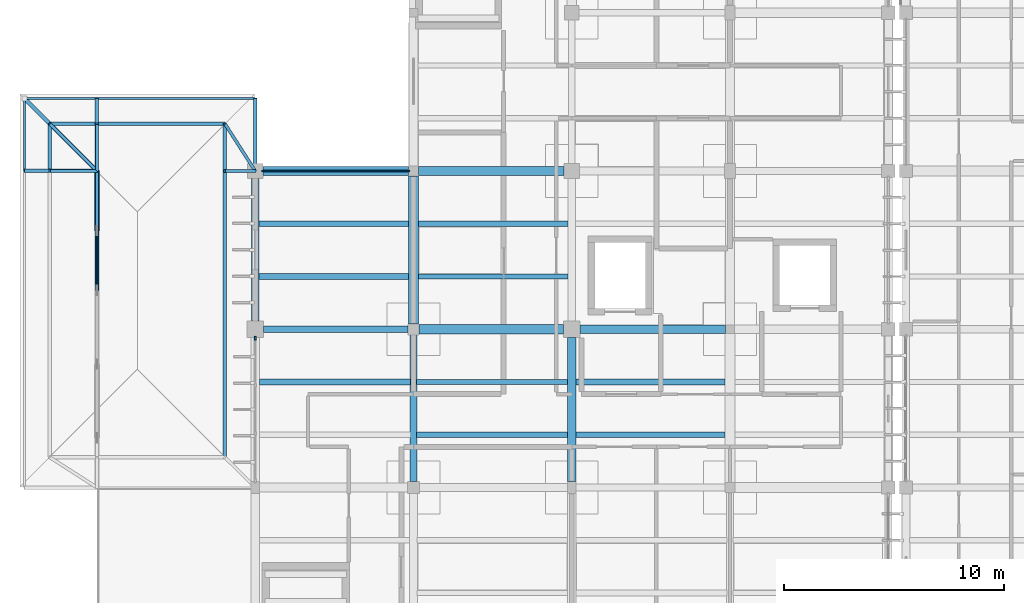
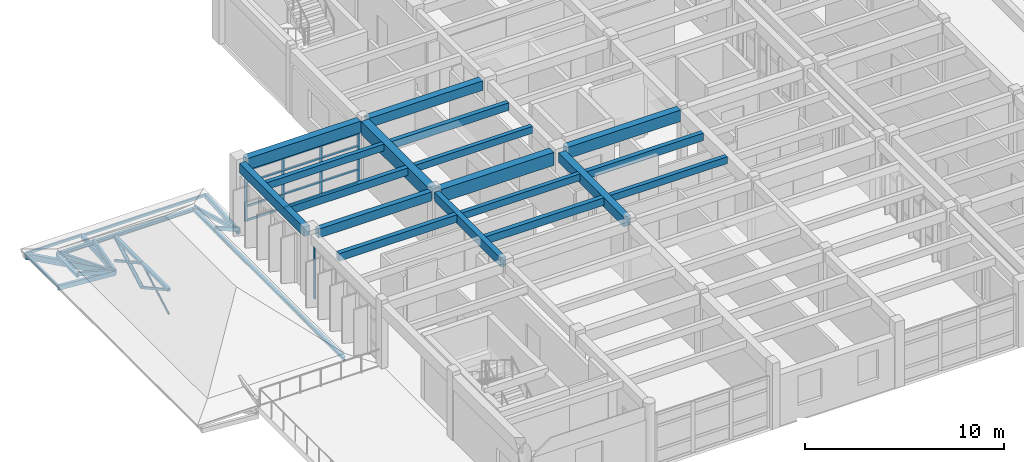
# One storey, part 16 of 100: 40 members, 18 beams, 2 elements without a shape of their own.
"""IFC4 building model written with IfcOpenShell, lengths in metres."""

from ifc_helpers import new_model, si_unit, direction, frame, origin, origin_2d, place, context, subcontext, project, spatial, rectangle, hollow_rectangle, hollow_circle, i_section, extrude, material, material_profile, profile_set, type_object, element, aggregate, save


model = new_model("IFC4")

# Units and contexts
model_context = context("Model", 3, precision=1e-05, world=origin(), true_north=direction((0.0, 1.0)))
body_context = subcontext(model_context, "Body", "Model", "MODEL_VIEW")
ifc_project = project(units=[si_unit("LENGTHUNIT", "METRE"), si_unit("AREAUNIT", "SQUARE_METRE"), si_unit("VOLUMEUNIT", "CUBIC_METRE"), si_unit("PLANEANGLEUNIT", "RADIAN"), si_unit("MASSUNIT", "GRAM", prefix="KILO")], contexts=[model_context])

# Site, building, storey
site_placement = place(None, origin())
site = spatial("IfcSite", under=ifc_project, at=site_placement, CompositionType="ELEMENT")
building_placement = place(site_placement, origin())
building = spatial("IfcBuilding", under=site, at=building_placement, Name="Steenspoor Specialist Clinic", CompositionType="ELEMENT")
storey_placement = place(building_placement, frame((0.0, 0.0, 9.0)))
storey = spatial("IfcBuildingStorey", under=building, at=storey_placement, Name="L02", CompositionType="ELEMENT", Elevation=9.0)

# Beams
ifc_material_1 = material(Name="Concrete C35/45", Category="concrete")
ifc_material_profile_1 = material_profile(ifc_material_1, rectangle(XDim=0.300048828125, YDim=0.550048828125, at=origin_2d()), Name="RC-BM-300X550")
ifc_profile_set_1 = profile_set([ifc_material_profile_1], Name="Concrete C35/45")
beam_type_1 = type_object("IfcBeamType", Name="BM-RC-300X550", PredefinedType="BEAM", material=ifc_profile_set_1)
beam_1_placement = place(storey_placement, frame((23.169921875, 86.75, 3.675048828125), z_axis=(1.0, 0.0, 0.0), x_axis=(0.0, 1.0, 0.0)))
element("IfcBeam", 1, at=beam_1_placement, inside=storey, type_object=beam_type_1, Name="BM-V5-L02-X1257", PredefinedType="BEAM", context=body_context, shape_type="SweptSolid", body=[
    extrude(rectangle(XDim=0.300048828125, YDim=0.550048828125, at=origin_2d()), origin(), (0.0, 0.0, 1.0), 6.5849609375),
])
beam_2_placement = place(storey_placement, frame((30.0, 79.820068359375, 3.675048828125), z_axis=(0.0, 1.0, 0.0), x_axis=(-1.0, 0.0, 0.0)))
element("IfcBeam", 2, at=beam_2_placement, inside=storey, type_object=beam_type_1, Name="BM-V5-L02-Y1276", PredefinedType="BEAM", context=body_context, shape_type="SweptSolid", body=[
    extrude(rectangle(XDim=0.300048828125, YDim=0.550048828125, at=origin_2d()), origin(), (0.0, 0.0, 1.0), 6.684814453125),
])
ifc_material_profile_2 = material_profile(ifc_material_1, rectangle(XDim=0.35009765625, YDim=0.580078125, at=origin_2d()), Name="RC-BM-350X580")
ifc_profile_set_2 = profile_set([ifc_material_profile_2], Name="Concrete C35/45")
beam_type_2 = type_object("IfcBeamType", Name="BM-RC-350X580", PredefinedType="BEAM", material=ifc_profile_set_2)
beam_3_placement = place(storey_placement, frame((22.800048828125, 87.1201171875, 3.659912109375), z_axis=(0.0, 1.0, 0.0), x_axis=(-1.0, 0.0, 0.0)))
element("IfcBeam", 3, at=beam_3_placement, inside=storey, type_object=beam_type_2, Name="BM-V5-L02-Y1273", PredefinedType="BEAM", context=body_context, shape_type="SweptSolid", body=[
    extrude(rectangle(XDim=0.35009765625, YDim=0.580078125, at=origin_2d()), origin(), (0.0, 0.0, 1.0), 6.48486328125),
])
ifc_material_profile_3 = material_profile(ifc_material_1, rectangle(XDim=0.39990234375, YDim=0.580078125, at=origin_2d()), Name="RC-BM-400X580")
ifc_profile_set_3 = profile_set([ifc_material_profile_3], Name="Concrete C35/45")
beam_type_3 = type_object("IfcBeamType", Name="BM-RC-400X580", PredefinedType="BEAM", material=ifc_profile_set_3)
beam_4_placement = place(storey_placement, frame((30.219970703125, 93.949951171875, 3.659912109375), z_axis=(1.0, 0.0, 0.0), x_axis=(0.0, 1.0, 0.0)))
element("IfcBeam", 4, at=beam_4_placement, inside=storey, type_object=beam_type_3, Name="BM-V5-L02-X1262", PredefinedType="BEAM", context=body_context, shape_type="SweptSolid", body=[
    extrude(rectangle(XDim=0.39990234375, YDim=0.580078125, at=origin_2d()), origin(), (0.0, 0.0, 1.0), 6.635009765625),
])
beam_5_placement = place(storey_placement, frame((37.199951171875, 79.820068359375, 3.659912109375), z_axis=(0.0, 1.0, 0.0), x_axis=(-1.0, 0.0, 0.0)))
element("IfcBeam", 5, at=beam_5_placement, inside=storey, type_object=beam_type_3, Name="BM-V5-L02-Y1282", PredefinedType="BEAM", context=body_context, shape_type="SweptSolid", body=[
    extrude(rectangle(XDim=0.39990234375, YDim=0.580078125, at=origin_2d()), origin(), (0.0, 0.0, 1.0), 6.559814453125),
])
ifc_material_profile_4 = material_profile(ifc_material_1, rectangle(XDim=0.39990234375, YDim=0.699951171875, at=origin_2d()), Name="RC-BM-400X700")
ifc_profile_set_4 = profile_set([ifc_material_profile_4], Name="Concrete C35/45")
beam_type_4 = type_object("IfcBeamType", Name="BM-RC-400X700", PredefinedType="BEAM", material=ifc_profile_set_4)
for number, where, z_axis, x_axis, name in (
    (6, (37.570068359375, 86.75, 3.60009765625), (1.0, 0.0, 0.0), (0.0, 1.0, 0.0), "BM-V5-L02-X1259"),
    (7, (23.14501953125, 93.949951171875, 3.60009765625), (1.0, 0.0, 0.0), (0.0, 1.0, 0.0), "BM-V5-L02-X1261"),
):
    element("IfcBeam", number, at=place(storey_placement, frame(where, z_axis=z_axis, x_axis=x_axis)), inside=storey, type_object=beam_type_4, Name=name, PredefinedType="BEAM", context=body_context, shape_type="SweptSolid", body=[
        extrude(rectangle(XDim=0.39990234375, YDim=0.699951171875, at=origin_2d()), origin(), (0.0, 0.0, 1.0), 6.635009765625),
    ])
ifc_material_profile_5 = material_profile(ifc_material_1, rectangle(XDim=0.449951171875, YDim=0.800048828125, at=origin_2d()), Name="RC-BM-450X800")
ifc_profile_set_5 = profile_set([ifc_material_profile_5], Name="Concrete C35/45")
beam_type_5 = type_object("IfcBeamType", Name="BM-RC-450X800", PredefinedType="BEAM", material=ifc_profile_set_5)
beam_6_placement = place(storey_placement, frame((30.2451171875, 86.75, 3.550048828125), z_axis=(1.0, 0.0, 0.0), x_axis=(0.0, 1.0, 0.0)))
element("IfcBeam", 8, at=beam_6_placement, inside=storey, type_object=beam_type_5, Name="BM-V5-L02-X1258", PredefinedType="BEAM", context=body_context, shape_type="SweptSolid", body=[
    extrude(rectangle(XDim=0.449951171875, YDim=0.800048828125, at=origin_2d()), origin(), (0.0, 0.0, 1.0), 6.5849609375),
])
beam_7_placement = place(storey_placement, frame((30.0, 86.9951171875, 3.550048828125), z_axis=(0.0, 1.0, 0.0), x_axis=(-1.0, 0.0, 0.0)))
element("IfcBeam", 9, at=beam_7_placement, inside=storey, type_object=beam_type_5, Name="BM-V5-L02-Y1277", PredefinedType="BEAM", context=body_context, shape_type="SweptSolid", body=[
    extrude(rectangle(XDim=0.449951171875, YDim=0.800048828125, at=origin_2d()), origin(), (0.0, 0.0, 1.0), 6.73486328125),
])

# Curtain wall, members
ifc_material_2 = material(Name="Thermally broken aluminium and low-emissivity glass", Category="aluminium")
curtain_wall_type_1 = type_object("IfcCurtainWallType", Name="CW-L00-240X415", PredefinedType="USERDEFINED", material=ifc_material_2)
curtain_wall_1_placement = place(storey_placement, origin())
curtain_wall_1 = element("IfcCurtainWall", 10, at=curtain_wall_1_placement, inside=storey, type_object=curtain_wall_type_1, Name="Unitised Curtain Wall CW-V5-L02-152", ObjectType="UNITISED GLAZING", PredefinedType="USERDEFINED")
ifc_material_3 = material(Name="Thermally broken aluminium 6063-T6", Category="aluminium")
ifc_material_profile_6 = material_profile(ifc_material_3, rectangle(XDim=0.070068359375, YDim=0.1650390625, at=origin_2d()), Name="CWM-70X165")
ifc_profile_set_6 = profile_set([ifc_material_profile_6], Name="Thermally broken aluminium 6063-T6")
member_type_1 = type_object("IfcMemberType", Name="CW-MULL-70X165", PredefinedType="MULLION", material=ifc_profile_set_6)
member_1_placement = place(storey_placement, frame((23.18505859375, 93.949951171875, 0.0), z_axis=(0.0, 0.0, 1.0), x_axis=(0.0, 1.0, 0.0)))
member_1 = element("IfcMember", 11, at=member_1_placement, type_object=member_type_1, Name="CW-08 mullion 1", PredefinedType="MULLION", context=body_context, shape_type="SweptSolid", body=[
    extrude(rectangle(XDim=0.070068359375, YDim=0.1650390625, at=origin_2d()), origin(), (0.0, 0.0, 1.0), 3.1298828125),
])
member_2_placement = place(storey_placement, frame((25.3583984375, 93.949951171875, 0.0), z_axis=(0.0, 0.0, 1.0), x_axis=(0.0, 1.0, 0.0)))
member_2 = element("IfcMember", 12, at=member_2_placement, type_object=member_type_1, Name="CW-08 mullion 2", PredefinedType="MULLION", context=body_context, shape_type="SweptSolid", body=[
    extrude(rectangle(XDim=0.070068359375, YDim=0.1650390625, at=origin_2d()), origin(), (0.0, 0.0, 1.0), 3.1298828125),
])
member_3_placement = place(storey_placement, frame((27.566650390625, 93.949951171875, 0.0), z_axis=(0.0, 0.0, 1.0), x_axis=(0.0, 1.0, 0.0)))
member_3 = element("IfcMember", 13, at=member_3_placement, type_object=member_type_1, Name="CW-08 mullion 3", PredefinedType="MULLION", context=body_context, shape_type="SweptSolid", body=[
    extrude(rectangle(XDim=0.070068359375, YDim=0.1650390625, at=origin_2d()), origin(), (0.0, 0.0, 1.0), 3.1298828125),
])
member_4_placement = place(storey_placement, frame((29.739990234375, 93.949951171875, 0.0), z_axis=(0.0, 0.0, 1.0), x_axis=(0.0, 1.0, 0.0)))
member_4 = element("IfcMember", 14, at=member_4_placement, type_object=member_type_1, Name="CW-08 mullion 4", PredefinedType="MULLION", context=body_context, shape_type="SweptSolid", body=[
    extrude(rectangle(XDim=0.070068359375, YDim=0.1650390625, at=origin_2d()), origin(), (0.0, 0.0, 1.0), 3.1298828125),
])

# Curtain wall, member
curtain_wall_type_2 = type_object("IfcCurtainWallType", Name="CW-L00-360X415", PredefinedType="USERDEFINED", material=ifc_material_2)
curtain_wall_2_placement = place(storey_placement, origin())
curtain_wall_2 = element("IfcCurtainWall", 15, at=curtain_wall_2_placement, inside=storey, type_object=curtain_wall_type_2, Name="Unitised Curtain Wall CW-V5-L02-151", ObjectType="UNITISED GLAZING", PredefinedType="USERDEFINED")
ifc_material_profile_7 = material_profile(ifc_material_3, rectangle(XDim=0.080078125, YDim=0.179931640625, at=origin_2d()), Name="CWM-80X180")
ifc_profile_set_7 = profile_set([ifc_material_profile_7], Name="Thermally broken aluminium 6063-T6")
member_type_2 = type_object("IfcMemberType", Name="CW-MULL-80X180", PredefinedType="MULLION", material=ifc_profile_set_7)
member_5_placement = place(storey_placement, frame((22.800048828125, 86.3349609375, 0.0), z_axis=(0.0, 0.0, 1.0), x_axis=(-1.0, 0.0, 0.0)))
member_5 = element("IfcMember", 16, at=member_5_placement, type_object=member_type_2, Name="CW-07 mullion 4", PredefinedType="MULLION", context=body_context, shape_type="SweptSolid", body=[
    extrude(rectangle(XDim=0.080078125, YDim=0.179931640625, at=origin_2d()), origin(), (0.0, 0.0, 1.0), 3.1298828125),
])
aggregate(curtain_wall_2, [member_5])

# Member
ifc_material_profile_8 = material_profile(ifc_material_3, rectangle(XDim=0.06494140625, YDim=0.1298828125, at=origin_2d()), Name="CWT-65X130")
ifc_profile_set_8 = profile_set([ifc_material_profile_8], Name="Thermally broken aluminium 6063-T6")
member_type_3 = type_object("IfcMemberType", Name="CW-TRAN-65X130", PredefinedType="USERDEFINED", material=ifc_profile_set_8)
member_6_placement = place(storey_placement, frame((23.219970703125, 93.949951171875, 0.032470703125), z_axis=(1.0, 0.0, 0.0), x_axis=(0.0, 1.0, 0.0)))
member_6 = element("IfcMember", 17, at=member_6_placement, type_object=member_type_3, Name="CW-08 transom 1.1", ObjectType="TRANSOM", PredefinedType="USERDEFINED", context=body_context, shape_type="SweptSolid", body=[
    extrude(rectangle(XDim=0.06494140625, YDim=0.1298828125, at=origin_2d()), origin(), (0.0, 0.0, 1.0), 2.103271484375),
])

member_7_placement = place(storey_placement, frame((23.219970703125, 93.949951171875, 0.89990234375), z_axis=(1.0, 0.0, 0.0), x_axis=(0.0, 1.0, 0.0)))
member_7 = element("IfcMember", 18, at=member_7_placement, type_object=member_type_3, Name="CW-08 transom 1.2", ObjectType="TRANSOM", PredefinedType="USERDEFINED", context=body_context, shape_type="SweptSolid", body=[
    extrude(rectangle(XDim=0.06494140625, YDim=0.1298828125, at=origin_2d()), origin(), (0.0, 0.0, 1.0), 2.103271484375),
])

member_8_placement = place(storey_placement, frame((23.219970703125, 93.949951171875, 2.35009765625), z_axis=(1.0, 0.0, 0.0), x_axis=(0.0, 1.0, 0.0)))
member_8 = element("IfcMember", 19, at=member_8_placement, type_object=member_type_3, Name="CW-08 transom 1.3", ObjectType="TRANSOM", PredefinedType="USERDEFINED", context=body_context, shape_type="SweptSolid", body=[
    extrude(rectangle(XDim=0.06494140625, YDim=0.1298828125, at=origin_2d()), origin(), (0.0, 0.0, 1.0), 2.103271484375),
])

member_9_placement = place(storey_placement, frame((23.219970703125, 93.949951171875, 3.097412109375), z_axis=(1.0, 0.0, 0.0), x_axis=(0.0, 1.0, 0.0)))
member_9 = element("IfcMember", 20, at=member_9_placement, type_object=member_type_3, Name="CW-08 transom 1.4", ObjectType="TRANSOM", PredefinedType="USERDEFINED", context=body_context, shape_type="SweptSolid", body=[
    extrude(rectangle(XDim=0.06494140625, YDim=0.1298828125, at=origin_2d()), origin(), (0.0, 0.0, 1.0), 2.103271484375),
])

member_10_placement = place(storey_placement, frame((25.393310546875, 93.949951171875, 0.032470703125), z_axis=(1.0, 0.0, 0.0), x_axis=(0.0, 1.0, 0.0)))
member_10 = element("IfcMember", 21, at=member_10_placement, type_object=member_type_3, Name="CW-08 transom 2.1", ObjectType="TRANSOM", PredefinedType="USERDEFINED", context=body_context, shape_type="SweptSolid", body=[
    extrude(rectangle(XDim=0.06494140625, YDim=0.1298828125, at=origin_2d()), origin(), (0.0, 0.0, 1.0), 2.138427734375),
])

member_11_placement = place(storey_placement, frame((25.393310546875, 93.949951171875, 0.89990234375), z_axis=(1.0, 0.0, 0.0), x_axis=(0.0, 1.0, 0.0)))
member_11 = element("IfcMember", 22, at=member_11_placement, type_object=member_type_3, Name="CW-08 transom 2.2", ObjectType="TRANSOM", PredefinedType="USERDEFINED", context=body_context, shape_type="SweptSolid", body=[
    extrude(rectangle(XDim=0.06494140625, YDim=0.1298828125, at=origin_2d()), origin(), (0.0, 0.0, 1.0), 2.138427734375),
])

member_12_placement = place(storey_placement, frame((25.393310546875, 93.949951171875, 2.35009765625), z_axis=(1.0, 0.0, 0.0), x_axis=(0.0, 1.0, 0.0)))
member_12 = element("IfcMember", 23, at=member_12_placement, type_object=member_type_3, Name="CW-08 transom 2.3", ObjectType="TRANSOM", PredefinedType="USERDEFINED", context=body_context, shape_type="SweptSolid", body=[
    extrude(rectangle(XDim=0.06494140625, YDim=0.1298828125, at=origin_2d()), origin(), (0.0, 0.0, 1.0), 2.138427734375),
])

member_13_placement = place(storey_placement, frame((25.393310546875, 93.949951171875, 3.097412109375), z_axis=(1.0, 0.0, 0.0), x_axis=(0.0, 1.0, 0.0)))
member_13 = element("IfcMember", 24, at=member_13_placement, type_object=member_type_3, Name="CW-08 transom 2.4", ObjectType="TRANSOM", PredefinedType="USERDEFINED", context=body_context, shape_type="SweptSolid", body=[
    extrude(rectangle(XDim=0.06494140625, YDim=0.1298828125, at=origin_2d()), origin(), (0.0, 0.0, 1.0), 2.138427734375),
])

member_14_placement = place(storey_placement, frame((27.6015625, 93.949951171875, 0.032470703125), z_axis=(1.0, 0.0, 0.0), x_axis=(0.0, 1.0, 0.0)))
member_14 = element("IfcMember", 25, at=member_14_placement, type_object=member_type_3, Name="CW-08 transom 3.1", ObjectType="TRANSOM", PredefinedType="USERDEFINED", context=body_context, shape_type="SweptSolid", body=[
    extrude(rectangle(XDim=0.06494140625, YDim=0.1298828125, at=origin_2d()), origin(), (0.0, 0.0, 1.0), 2.103515625),
])

member_15_placement = place(storey_placement, frame((27.6015625, 93.949951171875, 0.89990234375), z_axis=(1.0, 0.0, 0.0), x_axis=(0.0, 1.0, 0.0)))
member_15 = element("IfcMember", 26, at=member_15_placement, type_object=member_type_3, Name="CW-08 transom 3.2", ObjectType="TRANSOM", PredefinedType="USERDEFINED", context=body_context, shape_type="SweptSolid", body=[
    extrude(rectangle(XDim=0.06494140625, YDim=0.1298828125, at=origin_2d()), origin(), (0.0, 0.0, 1.0), 2.103515625),
])

member_16_placement = place(storey_placement, frame((27.6015625, 93.949951171875, 2.35009765625), z_axis=(1.0, 0.0, 0.0), x_axis=(0.0, 1.0, 0.0)))
member_16 = element("IfcMember", 27, at=member_16_placement, type_object=member_type_3, Name="CW-08 transom 3.3", ObjectType="TRANSOM", PredefinedType="USERDEFINED", context=body_context, shape_type="SweptSolid", body=[
    extrude(rectangle(XDim=0.06494140625, YDim=0.1298828125, at=origin_2d()), origin(), (0.0, 0.0, 1.0), 2.103515625),
])

member_17_placement = place(storey_placement, frame((27.6015625, 93.949951171875, 3.097412109375), z_axis=(1.0, 0.0, 0.0), x_axis=(0.0, 1.0, 0.0)))
member_17 = element("IfcMember", 28, at=member_17_placement, type_object=member_type_3, Name="CW-08 transom 3.4", ObjectType="TRANSOM", PredefinedType="USERDEFINED", context=body_context, shape_type="SweptSolid", body=[
    extrude(rectangle(XDim=0.06494140625, YDim=0.1298828125, at=origin_2d()), origin(), (0.0, 0.0, 1.0), 2.103515625),
])

aggregate(curtain_wall_1, [member_1, member_2, member_3, member_4, member_6, member_7, member_8, member_9, member_10, member_11, member_12, member_13, member_14, member_15, member_16, member_17])

# Beams
ifc_material_profile_9 = material_profile(ifc_material_1, rectangle(XDim=0.239990234375, YDim=0.419921875, at=origin_2d()), Name="RC-JT-240X420")
ifc_profile_set_9 = profile_set([ifc_material_profile_9], Name="Concrete C35/45")
beam_type_6 = type_object("IfcBeamType", Name="JT-RC-240X420", PredefinedType="JOIST", material=ifc_profile_set_9)
beam_8_placement = place(storey_placement, frame((22.969970703125, 91.550048828125, 3.739990234375), z_axis=(1.0, 0.0, 0.0), x_axis=(0.0, 1.0, 0.0)))
element("IfcBeam", 29, at=beam_8_placement, inside=storey, type_object=beam_type_6, Name="JT-V5-L02-1303", PredefinedType="JOIST", context=body_context, shape_type="SweptSolid", body=[
    extrude(rectangle(XDim=0.239990234375, YDim=0.419921875, at=origin_2d()), origin(), (0.0, 0.0, 1.0), 6.81005859375),
])
beam_9_placement = place(storey_placement, frame((30.14501953125, 84.35009765625, 3.739990234375), z_axis=(1.0, 0.0, 0.0), x_axis=(0.0, 1.0, 0.0)))
element("IfcBeam", 30, at=beam_9_placement, inside=storey, type_object=beam_type_6, Name="JT-V5-L02-1309", PredefinedType="JOIST", context=body_context, shape_type="SweptSolid", body=[
    extrude(rectangle(XDim=0.239990234375, YDim=0.419921875, at=origin_2d()), origin(), (0.0, 0.0, 1.0), 6.85986328125),
])
beam_10_placement = place(storey_placement, frame((30.219970703125, 89.14990234375, 3.739990234375), z_axis=(1.0, 0.0, 0.0), x_axis=(0.0, 1.0, 0.0)))
element("IfcBeam", 31, at=beam_10_placement, inside=storey, type_object=beam_type_6, Name="JT-V5-L02-1310", PredefinedType="JOIST", context=body_context, shape_type="SweptSolid", body=[
    extrude(rectangle(XDim=0.239990234375, YDim=0.419921875, at=origin_2d()), origin(), (0.0, 0.0, 1.0), 6.81005859375),
])
beam_11_placement = place(storey_placement, frame((37.39501953125, 81.949951171875, 3.739990234375), z_axis=(1.0, 0.0, 0.0), x_axis=(0.0, 1.0, 0.0)))
element("IfcBeam", 32, at=beam_11_placement, inside=storey, type_object=beam_type_6, Name="JT-V5-L02-1318", PredefinedType="JOIST", context=body_context, shape_type="SweptSolid", body=[
    extrude(rectangle(XDim=0.239990234375, YDim=0.419921875, at=origin_2d()), origin(), (0.0, 0.0, 1.0), 6.784912109375),
])
ifc_material_profile_10 = material_profile(ifc_material_1, rectangle(XDim=0.260009765625, YDim=0.4599609375, at=origin_2d()), Name="RC-JT-260X460")
ifc_profile_set_10 = profile_set([ifc_material_profile_10], Name="Concrete C35/45")
beam_type_7 = type_object("IfcBeamType", Name="JT-RC-260X460", PredefinedType="JOIST", material=ifc_profile_set_10)
beam_12_placement = place(storey_placement, frame((22.9951171875, 84.35009765625, 3.719970703125), z_axis=(1.0, 0.0, 0.0), x_axis=(0.0, 1.0, 0.0)))
element("IfcBeam", 33, at=beam_12_placement, inside=storey, type_object=beam_type_7, Name="JT-V5-L02-1301", PredefinedType="JOIST", context=body_context, shape_type="SweptSolid", body=[
    extrude(rectangle(XDim=0.260009765625, YDim=0.4599609375, at=origin_2d()), origin(), (0.0, 0.0, 1.0), 6.85986328125),
])
beam_13_placement = place(storey_placement, frame((22.969970703125, 89.14990234375, 3.719970703125), z_axis=(1.0, 0.0, 0.0), x_axis=(0.0, 1.0, 0.0)))
element("IfcBeam", 34, at=beam_13_placement, inside=storey, type_object=beam_type_7, Name="JT-V5-L02-1302", PredefinedType="JOIST", context=body_context, shape_type="SweptSolid", body=[
    extrude(rectangle(XDim=0.260009765625, YDim=0.4599609375, at=origin_2d()), origin(), (0.0, 0.0, 1.0), 6.81005859375),
])
beam_14_placement = place(storey_placement, frame((30.14501953125, 81.949951171875, 3.719970703125), z_axis=(1.0, 0.0, 0.0), x_axis=(0.0, 1.0, 0.0)))
element("IfcBeam", 35, at=beam_14_placement, inside=storey, type_object=beam_type_7, Name="JT-V5-L02-1308", PredefinedType="JOIST", context=body_context, shape_type="SweptSolid", body=[
    extrude(rectangle(XDim=0.260009765625, YDim=0.4599609375, at=origin_2d()), origin(), (0.0, 0.0, 1.0), 6.85986328125),
])
beam_15_placement = place(storey_placement, frame((30.219970703125, 91.550048828125, 3.719970703125), z_axis=(1.0, 0.0, 0.0), x_axis=(0.0, 1.0, 0.0)))
element("IfcBeam", 36, at=beam_15_placement, inside=storey, type_object=beam_type_7, Name="JT-V5-L02-1311", PredefinedType="JOIST", context=body_context, shape_type="SweptSolid", body=[
    extrude(rectangle(XDim=0.260009765625, YDim=0.4599609375, at=origin_2d()), origin(), (0.0, 0.0, 1.0), 6.81005859375),
])
beam_16_placement = place(storey_placement, frame((37.39501953125, 84.35009765625, 3.719970703125), z_axis=(1.0, 0.0, 0.0), x_axis=(0.0, 1.0, 0.0)))
element("IfcBeam", 37, at=beam_16_placement, inside=storey, type_object=beam_type_7, Name="JT-V5-L02-1319", PredefinedType="JOIST", context=body_context, shape_type="SweptSolid", body=[
    extrude(rectangle(XDim=0.260009765625, YDim=0.4599609375, at=origin_2d()), origin(), (0.0, 0.0, 1.0), 6.784912109375),
])

# Members
ifc_material_4 = material(Name="Steel A500 Grade C", Category="steel")
ifc_material_profile_11 = material_profile(ifc_material_4, hollow_rectangle(XDim=0.126953125, YDim=0.126953125, WallThickness=0.0087890625, at=origin_2d()), Name="HSS127X127X9.5")
ifc_profile_set_11 = profile_set([ifc_material_profile_11], Name="Steel A500 Grade C")
member_type_4 = type_object("IfcMemberType", Name="MEM-BRACE-H127A", PredefinedType="BRACE", material=ifc_profile_set_11)
member_18_placement = place(storey_placement, frame((15.60009765625, 88.514892578125, 1.724609375), z_axis=(0.0, 0.876018101163, -0.48227822513), x_axis=(-1.0, 0.0, 0.0)))
element("IfcMember", 38, at=member_18_placement, inside=storey, type_object=member_type_4, Name="ROOF TRUSS Web Brace V5T1 1.3", PredefinedType="BRACE", context=body_context, shape_type="SweptSolid", body=[
    extrude(hollow_rectangle(XDim=0.126953125, YDim=0.126953125, WallThickness=0.0087890625, at=origin_2d()), origin(), (0.0, 0.0, 1.0), 3.10205078125),
])
ifc_material_profile_12 = material_profile(ifc_material_4, hollow_rectangle(XDim=0.126953125, YDim=0.126953125, WallThickness=0.005859375, at=origin_2d()), Name="HSS127X127X6.4")
ifc_profile_set_12 = profile_set([ifc_material_profile_12], Name="Steel A500 Grade C")
member_type_5 = type_object("IfcMemberType", Name="MEM-BRACE-H127B", PredefinedType="BRACE", material=ifc_profile_set_12)
member_19_placement = place(storey_placement, frame((15.60009765625, 91.232421875, 1.724609375), z_axis=(0.0, 0.876018101163, -0.48227822513), x_axis=(-1.0, 0.0, 0.0)))
element("IfcMember", 39, at=member_19_placement, inside=storey, type_object=member_type_5, Name="ROOF TRUSS Web Brace V5T1 1.4", PredefinedType="BRACE", context=body_context, shape_type="SweptSolid", body=[
    extrude(hollow_rectangle(XDim=0.126953125, YDim=0.126953125, WallThickness=0.005859375, at=origin_2d()), origin(), (0.0, 0.0, 1.0), 3.10205078125),
])
ifc_material_profile_13 = material_profile(ifc_material_4, hollow_rectangle(XDim=0.177734375, YDim=0.177734375, WallThickness=0.0087890625, at=origin_2d()), Name="HSS178X178X9.5")
ifc_profile_set_13 = profile_set([ifc_material_profile_13], Name="Steel A500 Grade C")
member_type_6 = type_object("IfcMemberType", Name="MEM-CHORD-H178", PredefinedType="CHORD", material=ifc_profile_set_13)
for number, where, z_axis, x_axis, name in (
    (40, (15.60009765625, 88.514892578125, 1.724609375), (0.0, 1.0, 0.0), (-1.0, 0.0, 0.0), "ROOF TRUSS Top Chord V5T1 1.3"),
    (41, (15.60009765625, 91.232421875, 1.724609375), (0.0, 1.0, 0.0), (-1.0, 0.0, 0.0), "ROOF TRUSS Top Chord V5T1 1.4"),
):
    element("IfcMember", number, at=place(storey_placement, frame(where, z_axis=z_axis, x_axis=x_axis)), inside=storey, type_object=member_type_6, Name=name, PredefinedType="CHORD", context=body_context, shape_type="SweptSolid", body=[
        extrude(hollow_rectangle(XDim=0.177734375, YDim=0.177734375, WallThickness=0.0087890625, at=origin_2d()), origin(), (0.0, 0.0, 1.0), 2.717529296875),
    ])
ifc_material_profile_14 = material_profile(ifc_material_4, hollow_rectangle(XDim=0.1015625, YDim=0.15234375, WallThickness=0.005859375, at=origin_2d()), Name="HSS152X102X6.4")
ifc_profile_set_14 = profile_set([ifc_material_profile_14], Name="Steel A500 Grade C")
member_type_7 = type_object("IfcMemberType", Name="MEM-PURLIN-H152", PredefinedType="PURLIN", material=ifc_profile_set_14)
member_20_placement = place(storey_placement, frame((12.300048828125, 97.25, -0.19482421875), z_axis=(1.0, 0.0, 0.0), x_axis=(0.0, 1.0, 0.0)))
element("IfcMember", 42, at=member_20_placement, inside=storey, type_object=member_type_7, Name="ROOF TRUSS Eave Fascia 413", PredefinedType="PURLIN", context=body_context, shape_type="SweptSolid", body=[
    extrude(hollow_rectangle(XDim=0.1015625, YDim=0.15234375, WallThickness=0.005859375, at=origin_2d()), origin(), (0.0, 0.0, 1.0), 3.300048828125),
])
member_21_placement = place(storey_placement, frame((15.60009765625, 97.25, -0.243408203125), z_axis=(1.0, 0.0, 0.0), x_axis=(0.0, 1.0, 0.0)))
element("IfcMember", 43, at=member_21_placement, inside=storey, type_object=member_type_7, Name="ROOF TRUSS Eave Fascia 414", PredefinedType="PURLIN", context=body_context, shape_type="SweptSolid", body=[
    extrude(hollow_rectangle(XDim=0.1015625, YDim=0.15234375, WallThickness=0.005859375, at=origin_2d()), origin(), (0.0, 0.0, 1.0), 7.199951171875),
])
member_22_placement = place(storey_placement, frame((12.300048828125, 93.949951171875, -0.19482421875), z_axis=(0.0, 1.0, 0.0), x_axis=(-1.0, 0.0, 0.0)))
element("IfcMember", 44, at=member_22_placement, inside=storey, type_object=member_type_7, Name="ROOF TRUSS Eave Fascia 416", PredefinedType="PURLIN", context=body_context, shape_type="SweptSolid", body=[
    extrude(hollow_rectangle(XDim=0.1015625, YDim=0.15234375, WallThickness=0.005859375, at=origin_2d()), origin(), (0.0, 0.0, 1.0), 3.300048828125),
])
ifc_material_5 = material(Name="Steel A992 Grade 50", Category="steel")
ifc_material_profile_15 = material_profile(ifc_material_5, i_section(OverallWidth=0.1650390625, OverallDepth=0.200927734375, WebThickness=0.006103515625, FlangeThickness=0.01025390625, at=origin_2d()), Name="W200X36")
ifc_profile_set_15 = profile_set([ifc_material_profile_15], Name="Steel A992 Grade 50")
member_type_8 = type_object("IfcMemberType", Name="MEM-PURLIN-W200", PredefinedType="PURLIN", material=ifc_profile_set_15)
member_23_placement = place(storey_placement, frame((13.449951171875, 96.10009765625, 0.0439453125), z_axis=(1.0, 0.0, 0.0), x_axis=(0.0, 1.0, 0.0)))
element("IfcMember", 45, at=member_23_placement, inside=storey, type_object=member_type_8, Name="ROOF TRUSS Knuckle Purlin 418", PredefinedType="PURLIN", context=body_context, shape_type="SweptSolid", body=[
    extrude(i_section(OverallWidth=0.1650390625, OverallDepth=0.200927734375, WebThickness=0.006103515625, FlangeThickness=0.01025390625, at=origin_2d()), origin(), (0.0, 0.0, 1.0), 2.150146484375),
])
member_24_placement = place(storey_placement, frame((15.60009765625, 96.10009765625, 0.0439453125), z_axis=(1.0, 0.0, 0.0), x_axis=(0.0, 1.0, 0.0)))
element("IfcMember", 46, at=member_24_placement, inside=storey, type_object=member_type_8, Name="ROOF TRUSS Knuckle Purlin 420", PredefinedType="PURLIN", context=body_context, shape_type="SweptSolid", body=[
    extrude(i_section(OverallWidth=0.1650390625, OverallDepth=0.200927734375, WebThickness=0.006103515625, FlangeThickness=0.01025390625, at=origin_2d()), origin(), (0.0, 0.0, 1.0), 5.81982421875),
])
member_25_placement = place(storey_placement, frame((13.449951171875, 93.949951171875, 0.0439453125), z_axis=(0.0, 1.0, 0.0), x_axis=(-1.0, 0.0, 0.0)))
element("IfcMember", 47, at=member_25_placement, inside=storey, type_object=member_type_8, Name="ROOF TRUSS Knuckle Purlin 422", PredefinedType="PURLIN", context=body_context, shape_type="SweptSolid", body=[
    extrude(i_section(OverallWidth=0.1650390625, OverallDepth=0.200927734375, WebThickness=0.006103515625, FlangeThickness=0.01025390625, at=origin_2d()), origin(), (0.0, 0.0, 1.0), 2.150146484375),
])
member_26_placement = place(storey_placement, frame((21.419921875, 80.929931640625, 0.0439453125), z_axis=(0.0, 1.0, 0.0), x_axis=(-1.0, 0.0, 0.0)))
element("IfcMember", 48, at=member_26_placement, inside=storey, type_object=member_type_8, Name="ROOF TRUSS Knuckle Purlin 423", PredefinedType="PURLIN", context=body_context, shape_type="SweptSolid", body=[
    extrude(i_section(OverallWidth=0.1650390625, OverallDepth=0.200927734375, WebThickness=0.006103515625, FlangeThickness=0.01025390625, at=origin_2d()), origin(), (0.0, 0.0, 1.0), 13.02001953125),
])
member_27_placement = place(storey_placement, frame((21.419921875, 93.949951171875, 0.0439453125), z_axis=(0.0, 1.0, 0.0), x_axis=(-1.0, 0.0, 0.0)))
element("IfcMember", 49, at=member_27_placement, inside=storey, type_object=member_type_8, Name="ROOF TRUSS Knuckle Purlin 424", PredefinedType="PURLIN", context=body_context, shape_type="SweptSolid", body=[
    extrude(i_section(OverallWidth=0.1650390625, OverallDepth=0.200927734375, WebThickness=0.006103515625, FlangeThickness=0.01025390625, at=origin_2d()), origin(), (0.0, 0.0, 1.0), 2.150146484375),
])
ifc_material_6 = material(Name="Glulam GL28h", Category="wood")
ifc_material_profile_16 = material_profile(ifc_material_6, rectangle(XDim=0.139892578125, YDim=0.219970703125, at=origin_2d()), Name="GL28H-140X220")
ifc_profile_set_16 = profile_set([ifc_material_profile_16], Name="Glulam GL28h")
member_type_9 = type_object("IfcMemberType", Name="MEM-RAFTER-GL220", PredefinedType="RAFTER", material=ifc_profile_set_16)
for number, where, z_axis, x_axis, name in (
    (50, (15.60009765625, 93.949951171875, -0.42919921875), (0.0, 0.962536022626, 0.27115384037), (-1.0, 0.0, 0.0), "ROOF TRUSS Knuckle Rafter V5T1 261"),
    (51, (15.60009765625, 93.949951171875, -0.42919921875), (-0.962536022626, 0.0, 0.27115384037), (0.0, -1.0, 0.0), "ROOF TRUSS Knuckle Rafter V5T1 265"),
):
    element("IfcMember", number, at=place(storey_placement, frame(where, z_axis=z_axis, x_axis=x_axis)), inside=storey, type_object=member_type_9, Name=name, PredefinedType="RAFTER", context=body_context, shape_type="SweptSolid", body=[
        extrude(rectangle(XDim=0.139892578125, YDim=0.219970703125, at=origin_2d()), origin(), (0.0, 0.0, 1.0), 2.23388671875),
    ])
member_28_placement = place(storey_placement, frame((22.800048828125, 93.949951171875, -0.356201171875), z_axis=(-0.932915349138, 0.0, 0.360095753019), x_axis=(0.0, -1.0, 0.0)))
element("IfcMember", 52, at=member_28_placement, inside=storey, type_object=member_type_9, Name="ROOF TRUSS Knuckle Rafter V5T1 266", PredefinedType="RAFTER", context=body_context, shape_type="SweptSolid", body=[
    extrude(rectangle(XDim=0.139892578125, YDim=0.219970703125, at=origin_2d()), origin(), (0.0, 0.0, 1.0), 1.479248046875),
])
member_29_placement = place(storey_placement, frame((15.60009765625, 93.949951171875, -0.5), z_axis=(-0.690230599086, 0.690230599086, 0.217171453397), x_axis=(-0.707106781187, -0.707106781187, 0.0)))
element("IfcMember", 53, at=member_29_placement, inside=storey, type_object=member_type_9, Name="ROOF TRUSS Corner Knuckle Rafter V5T1 269", PredefinedType="RAFTER", context=body_context, shape_type="SweptSolid", body=[
    extrude(rectangle(XDim=0.139892578125, YDim=0.219970703125, at=origin_2d()), origin(), (0.0, 0.0, 1.0), 3.115234375),
])
member_30_placement = place(storey_placement, frame((22.800048828125, 93.949951171875, -0.467041015625), z_axis=(-0.523811934864, 0.81606433935, 0.244254070458), x_axis=(-0.841553938551, -0.540173091249, 0.0)))
element("IfcMember", 54, at=member_30_placement, inside=storey, type_object=member_type_9, Name="ROOF TRUSS Corner Knuckle Rafter V5T1 271", PredefinedType="RAFTER", context=body_context, shape_type="SweptSolid", body=[
    extrude(rectangle(XDim=0.139892578125, YDim=0.219970703125, at=origin_2d()), origin(), (0.0, 0.0, 1.0), 2.634765625),
])
ifc_material_profile_17 = material_profile(ifc_material_6, rectangle(XDim=0.159912109375, YDim=0.280029296875, at=origin_2d()), Name="GL28H-160X280")
ifc_profile_set_17 = profile_set([ifc_material_profile_17], Name="Glulam GL28h")
member_type_10 = type_object("IfcMemberType", Name="MEM-RAFTER-GL280", PredefinedType="RAFTER", material=ifc_profile_set_17)
for number, where, z_axis, x_axis, name in (
    (55, (15.60009765625, 93.949951171875, -0.5), (0.0, 0.997518653982, 0.070402663009), (-1.0, 0.0, 0.0), "ROOF TRUSS Flared Eave Glulam Outrigger V5T1 260"),
    (56, (22.800048828125, 93.949951171875, -0.5400390625), (0.0, 0.997518653982, 0.070402663009), (-1.0, 0.0, 0.0), "ROOF TRUSS Flared Eave Glulam Outrigger V5T1 262"),
    (57, (15.60009765625, 93.949951171875, -0.5), (-0.997518653982, 0.0, 0.070402663009), (0.0, -1.0, 0.0), "ROOF TRUSS Flared Eave Glulam Outrigger V5T1 264"),
):
    element("IfcMember", number, at=place(storey_placement, frame(where, z_axis=z_axis, x_axis=x_axis)), inside=storey, type_object=member_type_10, Name=name, PredefinedType="RAFTER", context=body_context, shape_type="SweptSolid", body=[
        extrude(rectangle(XDim=0.159912109375, YDim=0.280029296875, at=origin_2d()), origin(), (0.0, 0.0, 1.0), 3.308349609375),
    ])
ifc_material_profile_18 = material_profile(ifc_material_6, rectangle(XDim=0.179931640625, YDim=0.360107421875, at=origin_2d()), Name="GL28H-180X360")
ifc_profile_set_18 = profile_set([ifc_material_profile_18], Name="Glulam GL28h")
member_type_11 = type_object("IfcMemberType", Name="MEM-RAFTER-GL360", PredefinedType="RAFTER", material=ifc_profile_set_18)
member_31_placement = place(storey_placement, frame((15.60009765625, 93.949951171875, -0.5), z_axis=(-0.706509801958, 0.706509801958, 0.041082836749), x_axis=(-0.707106781187, -0.707106781187, 0.0)))
element("IfcMember", 58, at=member_31_placement, inside=storey, type_object=member_type_11, Name="ROOF TRUSS Corner Hip Outrigger V5T1 268", PredefinedType="RAFTER", context=body_context, shape_type="SweptSolid", body=[
    extrude(rectangle(XDim=0.179931640625, YDim=0.360107421875, at=origin_2d()), origin(), (0.0, 0.0, 1.0), 4.6708984375),
])
ifc_material_profile_19 = material_profile(ifc_material_4, hollow_circle(Radius=0.05712890625, WallThickness=0.006103515625, at=origin_2d()), Name="CHS114X6.0")
ifc_profile_set_19 = profile_set([ifc_material_profile_19], Name="Steel A500 Grade C")
member_type_12 = type_object("IfcMemberType", Name="MEM-STRUT-CHS114", PredefinedType="STRUT", material=ifc_profile_set_19)
member_32_placement = place(storey_placement, frame((15.60009765625, 88.514892578125, 0.228515625), z_axis=(0.0, 0.876018101163, 0.48227822513), x_axis=(-1.0, 0.0, 0.0)))
element("IfcMember", 59, at=member_32_placement, inside=storey, type_object=member_type_12, Name="ROOF TRUSS Web Strut V5T1 1.3", PredefinedType="STRUT", context=body_context, shape_type="SweptSolid", body=[
    extrude(hollow_circle(Radius=0.05712890625, WallThickness=0.006103515625, at=origin_2d()), origin(), (0.0, 0.0, 1.0), 3.10205078125),
])
ifc_material_profile_20 = material_profile(ifc_material_4, hollow_circle(Radius=0.109619140625, WallThickness=0.00830078125, at=origin_2d()), Name="CHS219X8.2")
ifc_profile_set_20 = profile_set([ifc_material_profile_20], Name="Steel A500 Grade C")
member_type_13 = type_object("IfcMemberType", Name="MEM-STRUT-CHS219", PredefinedType="STRUT", material=ifc_profile_set_20)
member_33_placement = place(storey_placement, frame((15.60009765625, 91.232421875, 0.228515625), z_axis=(0.0, 0.876018101163, 0.48227822513), x_axis=(-1.0, 0.0, 0.0)))
element("IfcMember", 60, at=member_33_placement, inside=storey, type_object=member_type_13, Name="ROOF TRUSS Web Strut V5T1 1.4", PredefinedType="STRUT", context=body_context, shape_type="SweptSolid", body=[
    extrude(hollow_circle(Radius=0.109619140625, WallThickness=0.00830078125, at=origin_2d()), origin(), (0.0, 0.0, 1.0), 3.10205078125),
])

save(model, "model.ifc")
